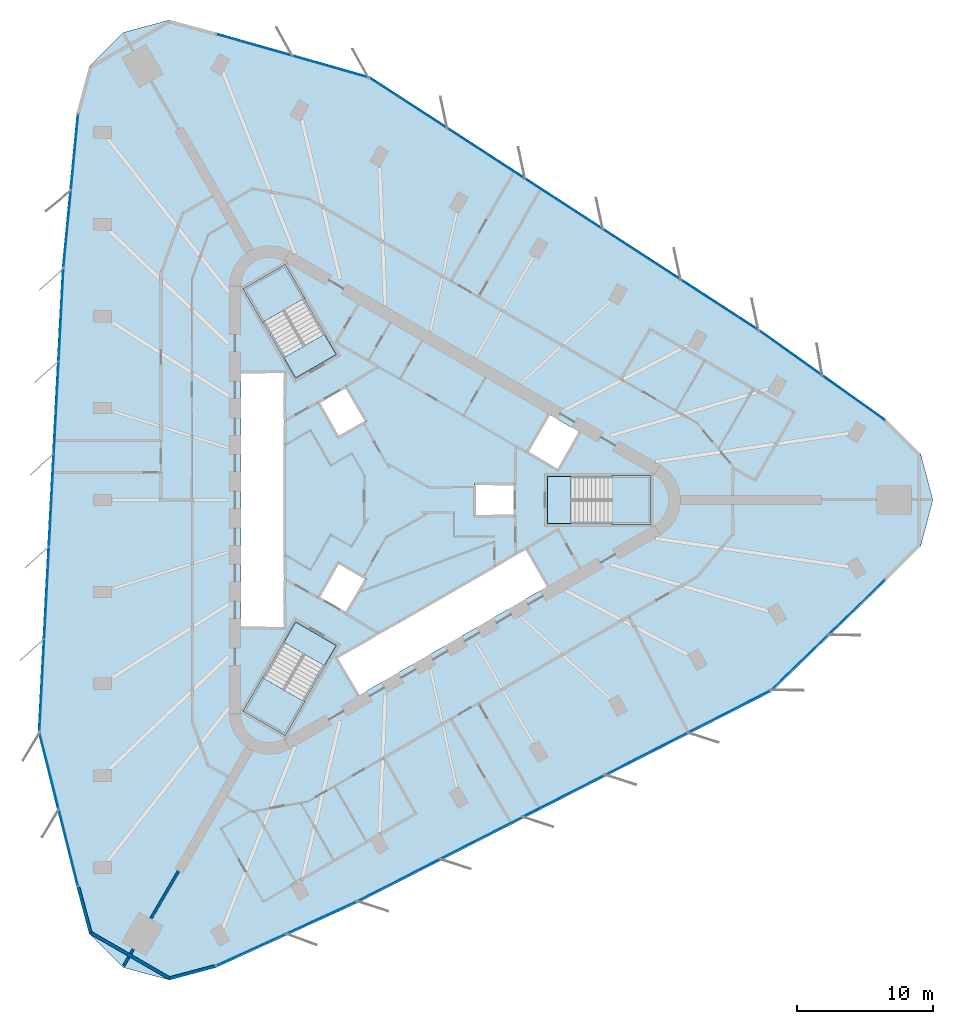
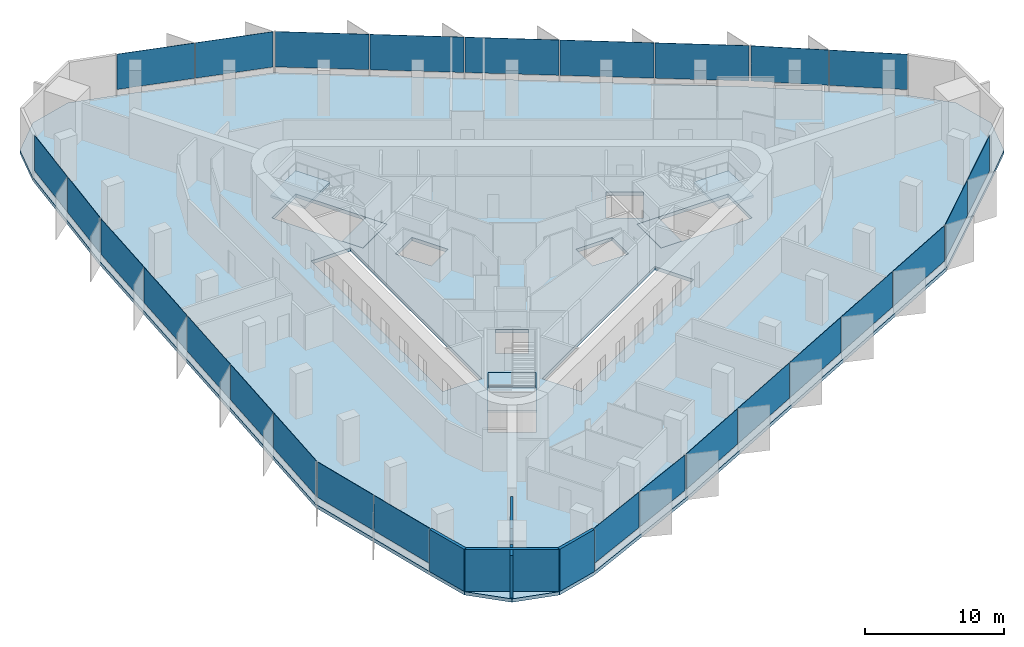
# One storey, part 7 of 14: 27 plates, 7 slabs, 6 walls, 12 elements without a shape of their own.
"""IFC4 building model written with IfcOpenShell, lengths in metres."""

import ifcopenshell
import ifcopenshell.guid

model = None  # the IFC model being written
_history = None  # IfcOwnerHistory: only IFC2X3 demands one
_inside = {}  # id of a spatial element -> (the spatial element, [elements in it])
_under = {}  # id of a project, library or spatial element -> (it, [spatial elements below it])
_declared = {}  # id of a project -> (the project, [libraries it declares])
_typed = {}  # id of a type object -> (the type object, [elements of that type])
_made_of = {}  # id of a material, layer set ... -> (it, [elements and type objects made of it])


def new_model(schema):
    """Start an empty IFC model of exactly this schema.

    Asked for "IFC4X3", IfcOpenShell would pick the latest addendum, in which some entities
    have other attributes; the version numbers below select the first issue.
    IFC2X3 requires an IfcOwnerHistory on every rooted entity: one is made here for all.
    """
    global model, _history
    if schema == "IFC4X3":
        model = ifcopenshell.file(schema_version=(4, 3, 0, 0))
    else:
        model = ifcopenshell.file(schema=schema)
    _inside.clear()
    _under.clear()
    _declared.clear()
    _typed.clear()
    _made_of.clear()
    _history = None
    if model.schema == "IFC2X3":
        org = make("IfcOrganization", Name="unknown")
        user = make(
            "IfcPersonAndOrganization",
            ThePerson=make("IfcPerson", FamilyName="unknown"),
            TheOrganization=org,
        )
        app = make(
            "IfcApplication",
            ApplicationDeveloper=org,
            Version="unknown",
            ApplicationFullName="unknown",
            ApplicationIdentifier="unknown",
        )
        _history = make(
            "IfcOwnerHistory",
            OwningUser=user,
            OwningApplication=app,
            ChangeAction="ADDED",
            CreationDate=0,
        )
    return model


def make(cls, **values):
    """One entity of the class cls with the attributes given. An attribute that is None is left unset."""
    return model.create_entity(
        cls, **{name: value for name, value in values.items() if value is not None}
    )


def rooted(cls, **values):
    """An entity with a GlobalId (a new one), such as an element, a storey or a relation."""
    return make(cls, GlobalId=ifcopenshell.guid.new(), OwnerHistory=_history, **values)


def si_unit(unit_type, name, prefix=None):
    """IfcSIUnit, for example si_unit("LENGTHUNIT", "METRE", prefix="MILLI")."""
    return make("IfcSIUnit", UnitType=unit_type, Prefix=prefix, Name=name)


def assignment(units):
    """IfcUnitAssignment: the units of a project."""
    return None if units is None else make("IfcUnitAssignment", Units=units)


def point(xyz):
    """IfcCartesianPoint."""
    return None if xyz is None else make("IfcCartesianPoint", Coordinates=xyz)


def direction(xyz):
    """IfcDirection."""
    return None if xyz is None else make("IfcDirection", DirectionRatios=xyz)


def frame(location, z_axis=None, x_axis=None):
    """IfcAxis2Placement3D, a coordinate frame: its origin and axes. An axis left out is left unset."""
    return make(
        "IfcAxis2Placement3D",
        Location=point(location),
        Axis=direction(z_axis),
        RefDirection=direction(x_axis),
    )


def frame_2d(location, x_axis=None):
    """IfcAxis2Placement2D, a coordinate frame in the plane: its origin and x axis."""
    return make(
        "IfcAxis2Placement2D", Location=point(location), RefDirection=direction(x_axis)
    )


def origin():
    """The frame at (0, 0, 0) with its axes left unset."""
    return frame((0.0, 0.0, 0.0))


def origin_2d():
    """The frame at (0, 0) in the plane with its x axis left unset."""
    return frame_2d((0.0, 0.0))


def place(relative_to, where):
    """IfcLocalPlacement: puts the frame where relative to a parent placement (None: the world)."""
    return make(
        "IfcLocalPlacement", PlacementRelTo=relative_to, RelativePlacement=where
    )


def context(
    kind, dimensions, precision=None, world=None, true_north=None, identifier=None
):
    """IfcGeometricRepresentationContext, for example the 3D "Model" context."""
    return make(
        "IfcGeometricRepresentationContext",
        ContextIdentifier=identifier,
        ContextType=kind,
        CoordinateSpaceDimension=dimensions,
        Precision=precision,
        WorldCoordinateSystem=world,
        TrueNorth=true_north,
    )


def subcontext(parent, identifier, kind, view, scale=None):
    """IfcGeometricRepresentationSubContext, for example "Body" below "Model"."""
    return make(
        "IfcGeometricRepresentationSubContext",
        ContextIdentifier=identifier,
        ContextType=kind,
        ParentContext=parent,
        TargetScale=scale,
        TargetView=view,
    )


def project(units=None, contexts=None):
    """IfcProject with its units and contexts."""
    return rooted(
        "IfcProject",
        Name="project",
        RepresentationContexts=contexts,
        UnitsInContext=assignment(units),
    )


def spatial(cls, under=None, at=None, **own):
    """A site, building, storey or space (cls), placed at a placement, below another one or the project."""
    s = rooted(cls, ObjectPlacement=at, **own)
    if under is not None:
        _under.setdefault(under.id(), (under, []))[1].append(s)
    return s


def polyline(points):
    """IfcPolyline through the points."""
    return make("IfcPolyline", Points=[point(p) for p in points])


def profile(cls, at=None, kind="AREA", **sizes):
    """A parametric profile (cls). Its sizes go by their IFC names, for example OverallWidth=200.0."""
    return make(cls, ProfileType=kind, Position=at, **sizes)


def rectangle(**sizes):
    """IfcRectangleProfileDef."""
    return profile("IfcRectangleProfileDef", **sizes)


def outline(outer, holes=None, kind="AREA"):
    """IfcArbitraryClosedProfileDef: a profile drawn as a closed curve; with holes, ...WithVoids."""
    if holes is None:
        return make("IfcArbitraryClosedProfileDef", ProfileType=kind, OuterCurve=outer)
    return make(
        "IfcArbitraryProfileDefWithVoids",
        ProfileType=kind,
        OuterCurve=outer,
        InnerCurves=holes,
    )


def extrude(swept, where, along, depth):
    """IfcExtrudedAreaSolid: the profile swept, set in the frame where, extruded along a direction by depth."""
    return make(
        "IfcExtrudedAreaSolid",
        SweptArea=swept,
        Position=where,
        ExtrudedDirection=direction(along),
        Depth=depth,
    )


def shape(context_of_items, identifier, shape_type, items):
    """IfcShapeRepresentation: the items that make up one representation, for example the "Body"."""
    return make(
        "IfcShapeRepresentation",
        ContextOfItems=context_of_items,
        RepresentationIdentifier=identifier,
        RepresentationType=shape_type,
        Items=items,
    )


def material(Name=None, Category=None):
    """IfcMaterial."""
    return make("IfcMaterial", Name=Name, Category=Category)


def layer(
    of_material, thickness, ventilated=None, Name=None, Category=None, Priority=None
):
    """IfcMaterialLayer: one layer of a wall or slab, of a material (None: an air gap)."""
    return make(
        "IfcMaterialLayer",
        Material=of_material,
        LayerThickness=thickness,
        IsVentilated=ventilated,
        Name=Name,
        Category=Category,
        Priority=Priority,
    )


def layer_set(layers, Name=None):
    """IfcMaterialLayerSet."""
    return make("IfcMaterialLayerSet", MaterialLayers=layers, LayerSetName=Name)


def made_of(thing, what):
    """Note that an element or type object is made of a material, layer set ...; save() writes the relation."""
    if what is not None:
        _made_of.setdefault(what.id(), (what, []))[1].append(thing)
    return thing


def type_object(cls, material=None, **own):
    """A type object (cls), such as IfcWallType, which elements share."""
    return made_of(rooted(cls, **own), material)


def element(
    cls,
    number,
    at=None,
    inside=None,
    cuts=None,
    type_object=None,
    material=None,
    context=None,
    identifier="Body",
    shape_type=None,
    held_by="IfcProductDefinitionShape",
    body=None,
    shapes=None,
    **own,
):
    """One element of the class cls, such as IfcWall. Its Tag is "e" and its number.

    at: its placement. inside: the storey or other place that contains it. cuts: it is an
    opening in that element (IfcRelVoidsElement). A single representation is given by context,
    identifier, shape_type and body (its items); several are given by shapes. held_by: the class
    of the entity that holds the representations. save() writes the other relations.
    """
    e = rooted(cls, Tag="e%d" % number, ObjectPlacement=at, **own)
    if body is not None:
        shapes = [shape(context, identifier, shape_type, body)]
    if shapes is not None:
        e.Representation = make(held_by, Representations=shapes)
    if inside is not None:
        _inside.setdefault(inside.id(), (inside, []))[1].append(e)
    if cuts is not None:
        rooted(
            "IfcRelVoidsElement", RelatingBuildingElement=cuts, RelatedOpeningElement=e
        )
    if type_object is not None:
        _typed.setdefault(type_object.id(), (type_object, []))[1].append(e)
    return made_of(e, material)


def aggregate(whole, parts):
    """IfcRelAggregates: a whole, such as a stair, and the parts it consists of."""
    return rooted("IfcRelAggregates", RelatingObject=whole, RelatedObjects=parts)


def save(model, path):
    """Write the relations noted so far, then the file.

    IfcRelAggregates (storeys below a building ...), IfcRelContainedInSpatialStructure (elements
    in a storey), IfcRelDefinesByType, IfcRelAssociatesMaterial and IfcRelDeclares: one each for
    every whole, place, type object, material and project.
    """
    for whole, parts in _under.values():
        aggregate(whole, parts)
    for where, things in _inside.values():
        rooted(
            "IfcRelContainedInSpatialStructure",
            RelatedElements=things,
            RelatingStructure=where,
        )
    for kind, things in _typed.values():
        rooted("IfcRelDefinesByType", RelatedObjects=things, RelatingType=kind)
    for what, things in _made_of.values():
        rooted("IfcRelAssociatesMaterial", RelatedObjects=things, RelatingMaterial=what)
    for by, libraries in _declared.values():
        rooted("IfcRelDeclares", RelatingContext=by, RelatedDefinitions=libraries)
    model.write(path)


model = new_model("IFC4")

# Units and contexts
model_context = context("Model", 3, precision=1e-05, world=origin(), true_north=direction((0.0, 1.0)))
body_context = subcontext(model_context, "Body", "Model", "MODEL_VIEW")
ifc_project = project(units=[si_unit("LENGTHUNIT", "METRE"), si_unit("AREAUNIT", "SQUARE_METRE"), si_unit("VOLUMEUNIT", "CUBIC_METRE"), si_unit("PLANEANGLEUNIT", "RADIAN"), si_unit("MASSUNIT", "GRAM", prefix="KILO")], contexts=[model_context])

# Site, building, storey
site_placement = place(None, origin())
site = spatial("IfcSite", under=ifc_project, at=site_placement, CompositionType="ELEMENT")
building_placement = place(site_placement, origin())
building = spatial("IfcBuilding", under=site, at=building_placement, Name="Tanit Gate Tower", CompositionType="ELEMENT")
storey_placement = place(building_placement, frame((0.0, 0.0, 257.199951171875)))
storey = spatial("IfcBuildingStorey", under=building, at=storey_placement, Name="L58", CompositionType="ELEMENT", Elevation=257.199951171875)

# Slab
ifc_material_1 = material(Name="Concrete C35/45", Category="concrete")
ifc_layer_1 = layer(ifc_material_1, 0.300048828125)
ifc_layer_set_1 = layer_set([ifc_layer_1], Name="FLOOR SLAB 300 C35/45")
slab_type_1 = type_object("IfcSlabType", Name="FLOOR SLAB 300 C35/45", PredefinedType="FLOOR", material=ifc_layer_set_1)
slab_1_placement = place(storey_placement, frame((0.0, 0.0, -0.300048828125)))
element("IfcSlab", 1, at=slab_1_placement, inside=storey, type_object=slab_type_1, Name="FLOOR SLAB L58", PredefinedType="FLOOR", context=body_context, shape_type="SweptSolid", body=[
    extrude(outline(polyline([(36.34765625, 5.927734375), (38.85302734375, 3.42236328125), (39.77001953125, 0.0), (38.85302734375, -3.42236328125), (36.34765625, -5.927734375), (27.90380859375, -14.114013671875), (-2.617431640625, -29.68359375), (-13.040283203125, -34.44189453125), (-16.462646484375, -35.35888671875), (-19.885009765625, -34.44189453125), (-22.390380859375, -31.9365234375), (-23.307373046875, -28.51416015625), (-26.175048828125, -17.1083984375), (-24.39794921875, 17.1083984375), (-23.307373046875, 28.51416015625), (-22.390380859375, 31.9365234375), (-19.885009765625, 34.44189453125), (-16.462646484375, 35.35888671875), (-13.040283203125, 34.44189453125), (-1.72900390625, 31.222412109375), (27.015380859375, 12.574951171875), (36.34765625, 5.927734375)]), holes=[polyline([(11.3701171875, 1.72998046875), (18.929931640625, 1.72998046875), (18.929931640625, -1.72998046875), (11.3701171875, -1.72998046875), (11.3701171875, 1.72998046875)]), polyline([(9.82080078125, 3.510009765625), (11.44580078125, 6.324462890625), (13.783935546875, 4.974609375), (12.158935546875, 2.159912109375), (9.82080078125, 3.510009765625)]), polyline([(-4.208984375, -11.60986328125), (9.82080078125, -3.510009765625), (11.44580078125, -6.324462890625), (-2.583984375, -14.424560546875), (-4.208984375, -11.60986328125)]), polyline([(6.0, 1.199951171875), (9.0, 1.199951171875), (9.0, -1.199951171875), (6.0, -1.199951171875), (6.0, 1.199951171875)]), polyline([(-5.539306640625, 7.194091796875), (-3.460693359375, 8.394287109375), (-1.960693359375, 5.796142578125), (-4.039306640625, 4.59619140625), (-5.539306640625, 7.194091796875)]), polyline([(-1.960693359375, -5.796142578125), (-3.460693359375, -8.394287109375), (-5.539306640625, -7.194091796875), (-4.039306640625, -4.59619140625), (-1.960693359375, -5.796142578125)]), polyline([(-10.963134765625, 15.52880859375), (-7.966796875, 17.2587890625), (-4.186767578125, 10.711669921875), (-7.18310546875, 8.981689453125), (-10.963134765625, 15.52880859375)]), polyline([(-4.186767578125, -10.711669921875), (-7.966796875, -17.2587890625), (-10.963134765625, -15.52880859375), (-7.18310546875, -8.981689453125), (-4.186767578125, -10.711669921875)]), polyline([(-11.199951171875, -9.449951171875), (-11.199951171875, 9.449951171875), (-7.949951171875, 9.449951171875), (-7.949951171875, -9.449951171875), (-11.199951171875, -9.449951171875)])]), origin(), (0.0, 0.0, 1.0), 0.300048828125),
])

# Curtain wall, plates
ifc_material_2 = material(Name="Aluminium bronze anodised and glass", Category="aluminium")
curtain_wall_type = type_object("IfcCurtainWallType", Name="Curtain wall typical mid", PredefinedType="NOTDEFINED", material=ifc_material_2)
curtain_wall_1_placement = place(storey_placement, origin())
curtain_wall_1 = element("IfcCurtainWall", 2, at=curtain_wall_1_placement, inside=storey, type_object=curtain_wall_type, Name="Curtain wall L58 NE1", PredefinedType="NOTDEFINED")
ifc_material_3 = material(Name="Glass tinted", Category="glass")
ifc_layer_2 = layer(ifc_material_3, 0.030029296875)
ifc_layer_set_2 = layer_set([ifc_layer_2], Name="Glass panel 30 typical mid")
plate_type = type_object("IfcPlateType", Name="Glass panel 30 typical mid", PredefinedType="CURTAIN_PANEL", material=ifc_layer_set_2)
plate_1_placement = place(storey_placement, frame((33.923095703125, 7.50732421875, 0.60009765625), z_axis=(0.0, 0.0, 1.0), x_axis=(-0.814502523008, 0.580160012422, 0.0)))
plate_1 = element("IfcPlate", 3, at=plate_1_placement, type_object=plate_type, Name="Glass panel L58 NE1.1", PredefinedType="CURTAIN_PANEL", context=body_context, shape_type="SweptSolid", body=[
    extrude(rectangle(XDim=5.6025390625, YDim=0.030029296875, at=origin_2d()), origin(), (0.0, 0.0, 1.0), 3.10009765625),
])
plate_2_placement = place(storey_placement, frame((29.294677734375, 10.80419921875, 0.60009765625), z_axis=(0.0, 0.0, 1.0), x_axis=(-0.814502523008, 0.580160012422, 0.0)))
plate_2 = element("IfcPlate", 4, at=plate_2_placement, type_object=plate_type, Name="Glass panel L58 NE1.2", PredefinedType="CURTAIN_PANEL", context=body_context, shape_type="SweptSolid", body=[
    extrude(rectangle(XDim=5.6025390625, YDim=0.030029296875, at=origin_2d()), origin(), (0.0, 0.0, 1.0), 3.10009765625),
])
aggregate(curtain_wall_1, [plate_1, plate_2])

curtain_wall_2_placement = place(storey_placement, origin())
curtain_wall_2 = element("IfcCurtainWall", 5, at=curtain_wall_2_placement, inside=storey, type_object=curtain_wall_type, Name="Curtain wall L58 NE2", PredefinedType="NOTDEFINED")
plate_3_placement = place(storey_placement, frame((24.04833984375, 14.356689453125, 0.60009765625), z_axis=(0.0, 0.0, 1.0), x_axis=(-0.838927413588, 0.544243323092, 0.0)))
plate_3 = element("IfcPlate", 6, at=plate_3_placement, type_object=plate_type, Name="Glass panel L58 NE2.1", PredefinedType="CURTAIN_PANEL", context=body_context, shape_type="SweptSolid", body=[
    extrude(rectangle(XDim=6.75244140625, YDim=0.030029296875, at=origin_2d()), origin(), (0.0, 0.0, 1.0), 3.10009765625),
])
plate_4_placement = place(storey_placement, frame((18.31640625, 18.0751953125, 0.60009765625), z_axis=(0.0, 0.0, 1.0), x_axis=(-0.838927413588, 0.544243323092, 0.0)))
plate_4 = element("IfcPlate", 7, at=plate_4_placement, type_object=plate_type, Name="Glass panel L58 NE2.2", PredefinedType="CURTAIN_PANEL", context=body_context, shape_type="SweptSolid", body=[
    extrude(rectangle(XDim=6.75244140625, YDim=0.030029296875, at=origin_2d()), origin(), (0.0, 0.0, 1.0), 3.10009765625),
])
plate_5_placement = place(storey_placement, frame((12.58447265625, 21.7939453125, 0.60009765625), z_axis=(0.0, 0.0, 1.0), x_axis=(-0.838927413588, 0.544243323092, 0.0)))
plate_5 = element("IfcPlate", 8, at=plate_5_placement, type_object=plate_type, Name="Glass panel L58 NE2.3", PredefinedType="CURTAIN_PANEL", context=body_context, shape_type="SweptSolid", body=[
    extrude(rectangle(XDim=6.75244140625, YDim=0.030029296875, at=origin_2d()), origin(), (0.0, 0.0, 1.0), 3.10009765625),
])
plate_6_placement = place(storey_placement, frame((6.852294921875, 25.512451171875, 0.60009765625), z_axis=(0.0, 0.0, 1.0), x_axis=(-0.838927413588, 0.544243323092, 0.0)))
plate_6 = element("IfcPlate", 9, at=plate_6_placement, type_object=plate_type, Name="Glass panel L58 NE2.4", PredefinedType="CURTAIN_PANEL", context=body_context, shape_type="SweptSolid", body=[
    extrude(rectangle(XDim=6.75244140625, YDim=0.030029296875, at=origin_2d()), origin(), (0.0, 0.0, 1.0), 3.10009765625),
])
plate_7_placement = place(storey_placement, frame((1.120361328125, 29.23095703125, 0.60009765625), z_axis=(0.0, 0.0, 1.0), x_axis=(-0.838927413588, 0.544243323092, 0.0)))
plate_7 = element("IfcPlate", 10, at=plate_7_placement, type_object=plate_type, Name="Glass panel L58 NE2.5", PredefinedType="CURTAIN_PANEL", context=body_context, shape_type="SweptSolid", body=[
    extrude(rectangle(XDim=6.75244140625, YDim=0.030029296875, at=origin_2d()), origin(), (0.0, 0.0, 1.0), 3.10009765625),
])
aggregate(curtain_wall_2, [plate_3, plate_4, plate_5, plate_6, plate_7])

curtain_wall_3_placement = place(storey_placement, origin())
curtain_wall_3 = element("IfcCurtainWall", 11, at=curtain_wall_3_placement, inside=storey, type_object=curtain_wall_type, Name="Curtain wall L58 NE3", PredefinedType="NOTDEFINED")
plate_8_placement = place(storey_placement, frame((-4.62158203125, 31.9208984375, 0.60009765625), z_axis=(0.0, 0.0, 1.0), x_axis=(-0.961802543312, 0.273744164647, 0.0)))
plate_8 = element("IfcPlate", 12, at=plate_8_placement, type_object=plate_type, Name="Glass panel L58 NE3.1", PredefinedType="CURTAIN_PANEL", context=body_context, shape_type="SweptSolid", body=[
    extrude(rectangle(XDim=5.750732421875, YDim=0.030029296875, at=origin_2d()), origin(), (0.0, 0.0, 1.0), 3.10009765625),
])
plate_9_placement = place(storey_placement, frame((-10.229736328125, 33.51708984375, 0.60009765625), z_axis=(0.0, 0.0, 1.0), x_axis=(-0.961802543312, 0.273744164647, 0.0)))
plate_9 = element("IfcPlate", 13, at=plate_9_placement, type_object=plate_type, Name="Glass panel L58 NE3.2", PredefinedType="CURTAIN_PANEL", context=body_context, shape_type="SweptSolid", body=[
    extrude(rectangle(XDim=5.7509765625, YDim=0.030029296875, at=origin_2d()), origin(), (0.0, 0.0, 1.0), 3.10009765625),
])
aggregate(curtain_wall_3, [plate_8, plate_9])

curtain_wall_4_placement = place(storey_placement, origin())
curtain_wall_4 = element("IfcCurtainWall", 14, at=curtain_wall_4_placement, inside=storey, type_object=curtain_wall_type, Name="Curtain wall L58 W1", PredefinedType="NOTDEFINED")
plate_10_placement = place(storey_placement, frame((-23.463134765625, 25.62451171875, 0.60009765625), z_axis=(0.0, 0.0, 1.0), x_axis=(-0.095182047514, -0.995459882582, 0.0)))
plate_10 = element("IfcPlate", 15, at=plate_10_placement, type_object=plate_type, Name="Glass panel L58 W1.1", PredefinedType="CURTAIN_PANEL", context=body_context, shape_type="SweptSolid", body=[
    extrude(rectangle(XDim=5.6025390625, YDim=0.030029296875, at=origin_2d()), origin(), (0.0, 0.0, 1.0), 3.10009765625),
])
plate_11_placement = place(storey_placement, frame((-24.00390625, 19.9677734375, 0.60009765625), z_axis=(0.0, 0.0, 1.0), x_axis=(-0.095182047514, -0.995459882582, 0.0)))
plate_11 = element("IfcPlate", 16, at=plate_11_placement, type_object=plate_type, Name="Glass panel L58 W1.2", PredefinedType="CURTAIN_PANEL", context=body_context, shape_type="SweptSolid", body=[
    extrude(rectangle(XDim=5.6025390625, YDim=0.030029296875, at=origin_2d()), origin(), (0.0, 0.0, 1.0), 3.10009765625),
])
aggregate(curtain_wall_4, [plate_10, plate_11])

curtain_wall_5_placement = place(storey_placement, origin())
curtain_wall_5 = element("IfcCurtainWall", 17, at=curtain_wall_5_placement, inside=storey, type_object=curtain_wall_type, Name="Curtain wall L58 W2", PredefinedType="NOTDEFINED")
plate_12_placement = place(storey_placement, frame((-24.45751953125, 13.648193359375, 0.60009765625), z_axis=(0.0, 0.0, 1.0), x_axis=(-0.051864836844, -0.998654113645, 0.0)))
plate_12 = element("IfcPlate", 18, at=plate_12_placement, type_object=plate_type, Name="Glass panel L58 W2.1", PredefinedType="CURTAIN_PANEL", context=body_context, shape_type="SweptSolid", body=[
    extrude(rectangle(XDim=6.75244140625, YDim=0.030029296875, at=origin_2d()), origin(), (0.0, 0.0, 1.0), 3.10009765625),
])
plate_13_placement = place(storey_placement, frame((-24.811767578125, 6.82470703125, 0.60009765625), z_axis=(0.0, 0.0, 1.0), x_axis=(-0.051864836844, -0.998654113645, 0.0)))
plate_13 = element("IfcPlate", 19, at=plate_13_placement, type_object=plate_type, Name="Glass panel L58 W2.2", PredefinedType="CURTAIN_PANEL", context=body_context, shape_type="SweptSolid", body=[
    extrude(rectangle(XDim=6.75244140625, YDim=0.030029296875, at=origin_2d()), origin(), (0.0, 0.0, 1.0), 3.10009765625),
])
plate_14_placement = place(storey_placement, frame((-25.166259765625, 0.00146484375, 0.60009765625), z_axis=(0.0, 0.0, 1.0), x_axis=(-0.051864836844, -0.998654113645, 0.0)))
plate_14 = element("IfcPlate", 20, at=plate_14_placement, type_object=plate_type, Name="Glass panel L58 W2.3", PredefinedType="CURTAIN_PANEL", context=body_context, shape_type="SweptSolid", body=[
    extrude(rectangle(XDim=6.75244140625, YDim=0.030029296875, at=origin_2d()), origin(), (0.0, 0.0, 1.0), 3.10009765625),
])
plate_15_placement = place(storey_placement, frame((-25.5205078125, -6.82177734375, 0.60009765625), z_axis=(0.0, 0.0, 1.0), x_axis=(-0.051864836844, -0.998654113645, 0.0)))
plate_15 = element("IfcPlate", 21, at=plate_15_placement, type_object=plate_type, Name="Glass panel L58 W2.4", PredefinedType="CURTAIN_PANEL", context=body_context, shape_type="SweptSolid", body=[
    extrude(rectangle(XDim=6.75244140625, YDim=0.030029296875, at=origin_2d()), origin(), (0.0, 0.0, 1.0), 3.10009765625),
])
plate_16_placement = place(storey_placement, frame((-25.875, -13.64501953125, 0.60009765625), z_axis=(0.0, 0.0, 1.0), x_axis=(-0.051864836844, -0.998654113645, 0.0)))
plate_16 = element("IfcPlate", 22, at=plate_16_placement, type_object=plate_type, Name="Glass panel L58 W2.5", PredefinedType="CURTAIN_PANEL", context=body_context, shape_type="SweptSolid", body=[
    extrude(rectangle(XDim=6.75244140625, YDim=0.030029296875, at=origin_2d()), origin(), (0.0, 0.0, 1.0), 3.10009765625),
])
aggregate(curtain_wall_5, [plate_12, plate_13, plate_14, plate_15, plate_16])

curtain_wall_6_placement = place(storey_placement, origin())
curtain_wall_6 = element("IfcCurtainWall", 23, at=curtain_wall_6_placement, inside=storey, type_object=curtain_wall_type, Name="Curtain wall L58 W3", PredefinedType="NOTDEFINED")
plate_17_placement = place(storey_placement, frame((-25.33349609375, -19.962890625, 0.60009765625), z_axis=(0.0, 0.0, 1.0), x_axis=(0.243831870934, -0.969817518256, 0.0)))
plate_17 = element("IfcPlate", 24, at=plate_17_placement, type_object=plate_type, Name="Glass panel L58 W3.1", PredefinedType="CURTAIN_PANEL", context=body_context, shape_type="SweptSolid", body=[
    extrude(rectangle(XDim=5.750732421875, YDim=0.030029296875, at=origin_2d()), origin(), (0.0, 0.0, 1.0), 3.10009765625),
])
plate_18_placement = place(storey_placement, frame((-23.911865234375, -25.61767578125, 0.60009765625), z_axis=(0.0, 0.0, 1.0), x_axis=(0.243831870934, -0.969817518256, 0.0)))
plate_18 = element("IfcPlate", 25, at=plate_18_placement, type_object=plate_type, Name="Glass panel L58 W3.2", PredefinedType="CURTAIN_PANEL", context=body_context, shape_type="SweptSolid", body=[
    extrude(rectangle(XDim=5.7509765625, YDim=0.030029296875, at=origin_2d()), origin(), (0.0, 0.0, 1.0), 3.10009765625),
])
aggregate(curtain_wall_6, [plate_17, plate_18])

curtain_wall_7_placement = place(storey_placement, origin())
curtain_wall_7 = element("IfcCurtainWall", 26, at=curtain_wall_7_placement, inside=storey, type_object=curtain_wall_type, Name="Curtain wall L58 SE1", PredefinedType="NOTDEFINED")
plate_19_placement = place(storey_placement, frame((-10.4599609375, -33.1318359375, 0.60009765625), z_axis=(0.0, 0.0, 1.0), x_axis=(0.909684570522, 0.41529987016, 0.0)))
plate_19 = element("IfcPlate", 27, at=plate_19_placement, type_object=plate_type, Name="Glass panel L58 SE1.1", PredefinedType="CURTAIN_PANEL", context=body_context, shape_type="SweptSolid", body=[
    extrude(rectangle(XDim=5.6025390625, YDim=0.030029296875, at=origin_2d()), origin(), (0.0, 0.0, 1.0), 3.10009765625),
])
plate_20_placement = place(storey_placement, frame((-5.290771484375, -30.77197265625, 0.60009765625), z_axis=(0.0, 0.0, 1.0), x_axis=(0.909684570522, 0.41529987016, 0.0)))
plate_20 = element("IfcPlate", 28, at=plate_20_placement, type_object=plate_type, Name="Glass panel L58 SE1.2", PredefinedType="CURTAIN_PANEL", context=body_context, shape_type="SweptSolid", body=[
    extrude(rectangle(XDim=5.6025390625, YDim=0.030029296875, at=origin_2d()), origin(), (0.0, 0.0, 1.0), 3.10009765625),
])
aggregate(curtain_wall_7, [plate_19, plate_20])

curtain_wall_8_placement = place(storey_placement, origin())
curtain_wall_8 = element("IfcCurtainWall", 29, at=curtain_wall_8_placement, inside=storey, type_object=curtain_wall_type, Name="Curtain wall L58 SE2", PredefinedType="NOTDEFINED")
plate_21_placement = place(storey_placement, frame((0.4091796875, -28.0048828125, 0.60009765625), z_axis=(0.0, 0.0, 1.0), x_axis=(0.890792250432, 0.454410790552, 0.0)))
plate_21 = element("IfcPlate", 30, at=plate_21_placement, type_object=plate_type, Name="Glass panel L58 SE2.1", PredefinedType="CURTAIN_PANEL", context=body_context, shape_type="SweptSolid", body=[
    extrude(rectangle(XDim=6.75244140625, YDim=0.030029296875, at=origin_2d()), origin(), (0.0, 0.0, 1.0), 3.10009765625),
])
plate_22_placement = place(storey_placement, frame((6.49560546875, -24.900146484375, 0.60009765625), z_axis=(0.0, 0.0, 1.0), x_axis=(0.890792250432, 0.454410790552, 0.0)))
plate_22 = element("IfcPlate", 31, at=plate_22_placement, type_object=plate_type, Name="Glass panel L58 SE2.2", PredefinedType="CURTAIN_PANEL", context=body_context, shape_type="SweptSolid", body=[
    extrude(rectangle(XDim=6.75244140625, YDim=0.030029296875, at=origin_2d()), origin(), (0.0, 0.0, 1.0), 3.10009765625),
])
plate_23_placement = place(storey_placement, frame((12.581787109375, -21.79541015625, 0.60009765625), z_axis=(0.0, 0.0, 1.0), x_axis=(0.890792250432, 0.454410790552, 0.0)))
plate_23 = element("IfcPlate", 32, at=plate_23_placement, type_object=plate_type, Name="Glass panel L58 SE2.3", PredefinedType="CURTAIN_PANEL", context=body_context, shape_type="SweptSolid", body=[
    extrude(rectangle(XDim=6.75244140625, YDim=0.030029296875, at=origin_2d()), origin(), (0.0, 0.0, 1.0), 3.10009765625),
])
plate_24_placement = place(storey_placement, frame((18.668212890625, -18.6904296875, 0.60009765625), z_axis=(0.0, 0.0, 1.0), x_axis=(0.890792250432, 0.454410790552, 0.0)))
plate_24 = element("IfcPlate", 33, at=plate_24_placement, type_object=plate_type, Name="Glass panel L58 SE2.4", PredefinedType="CURTAIN_PANEL", context=body_context, shape_type="SweptSolid", body=[
    extrude(rectangle(XDim=6.75244140625, YDim=0.030029296875, at=origin_2d()), origin(), (0.0, 0.0, 1.0), 3.10009765625),
])
plate_25_placement = place(storey_placement, frame((24.75439453125, -15.585693359375, 0.60009765625), z_axis=(0.0, 0.0, 1.0), x_axis=(0.890792250432, 0.454410790552, 0.0)))
plate_25 = element("IfcPlate", 34, at=plate_25_placement, type_object=plate_type, Name="Glass panel L58 SE2.5", PredefinedType="CURTAIN_PANEL", context=body_context, shape_type="SweptSolid", body=[
    extrude(rectangle(XDim=6.75244140625, YDim=0.030029296875, at=origin_2d()), origin(), (0.0, 0.0, 1.0), 3.10009765625),
])
aggregate(curtain_wall_8, [plate_21, plate_22, plate_23, plate_24, plate_25])

curtain_wall_9_placement = place(storey_placement, origin())
curtain_wall_9 = element("IfcCurtainWall", 35, at=curtain_wall_9_placement, inside=storey, type_object=curtain_wall_type, Name="Curtain wall L58 SE3", PredefinedType="NOTDEFINED")
plate_26_placement = place(storey_placement, frame((29.955078125, -11.9580078125, 0.60009765625), z_axis=(0.0, 0.0, 1.0), x_axis=(0.717970672378, 0.696073353609, 0.0)))
plate_26 = element("IfcPlate", 36, at=plate_26_placement, type_object=plate_type, Name="Glass panel L58 SE3.1", PredefinedType="CURTAIN_PANEL", context=body_context, shape_type="SweptSolid", body=[
    extrude(rectangle(XDim=5.750732421875, YDim=0.030029296875, at=origin_2d()), origin(), (0.0, 0.0, 1.0), 3.10009765625),
])
plate_27_placement = place(storey_placement, frame((34.1416015625, -7.8994140625, 0.60009765625), z_axis=(0.0, 0.0, 1.0), x_axis=(0.717970672378, 0.696073353609, 0.0)))
plate_27 = element("IfcPlate", 37, at=plate_27_placement, type_object=plate_type, Name="Glass panel L58 SE3.2", PredefinedType="CURTAIN_PANEL", context=body_context, shape_type="SweptSolid", body=[
    extrude(rectangle(XDim=5.7509765625, YDim=0.030029296875, at=origin_2d()), origin(), (0.0, 0.0, 1.0), 3.10009765625),
])
aggregate(curtain_wall_9, [plate_26, plate_27])

# Stair, slab
ifc_material_4 = material(Name="Concrete C40/50", Category="concrete")
stair_type = type_object("IfcStairType", Name="INT-STAIR-EXIT", PredefinedType="HALF_TURN_STAIR", material=ifc_material_4)
stair_1_placement = place(storey_placement, origin())
stair_1 = element("IfcStair", 38, at=stair_1_placement, inside=storey, type_object=stair_type, Name="L58 STAIR S1", PredefinedType="HALF_TURN_STAIR")
ifc_material_5 = material(Name="Concrete C40/50", Category="concrete")
ifc_layer_3 = layer(ifc_material_5, 0.199951171875)
ifc_layer_set_3 = layer_set([ifc_layer_3], Name="INT-STAIR-LANDING")
slab_type_2 = type_object("IfcSlabType", Name="INT-STAIR-LANDING", PredefinedType="LANDING", material=ifc_layer_set_3)
slab_2_placement = place(storey_placement, frame((0.0, 0.0, 1.800048828125)))
slab_2 = element("IfcSlab", 39, at=slab_2_placement, type_object=slab_type_2, Name="S1 landing 1", PredefinedType="LANDING", context=body_context, shape_type="SweptSolid", body=[
    extrude(outline(polyline([(16.135986328125, -1.800048828125), (19.0, -1.800048828125), (19.0, 1.800048828125), (16.135986328125, 1.800048828125), (16.135986328125, -1.800048828125)])), origin(), (0.0, 0.0, 1.0), 0.199951171875),
])
aggregate(stair_1, [slab_2])

# Slab
slab_3_placement = place(storey_placement, frame((0.0, 0.0, -0.199951171875)))
element("IfcSlab", 40, at=slab_3_placement, inside=storey, type_object=slab_type_2, Name="S1 floor landing", PredefinedType="LANDING", context=body_context, shape_type="SweptSolid", body=[
    extrude(outline(polyline([(11.3798828125, -1.719970703125), (13.10498046875, -1.719970703125), (13.10498046875, 1.719970703125), (11.3798828125, 1.719970703125), (11.3798828125, -1.719970703125)])), origin(), (0.0, 0.0, 1.0), 0.199951171875),
])

# Stair, slab
stair_2_placement = place(storey_placement, origin())
stair_2 = element("IfcStair", 41, at=stair_2_placement, inside=storey, type_object=stair_type, Name="L58 STAIR S2", PredefinedType="HALF_TURN_STAIR")
slab_4_placement = place(storey_placement, frame((0.0, 0.0, 1.800048828125)))
slab_4 = element("IfcSlab", 42, at=slab_4_placement, type_object=slab_type_2, Name="S2 landing 1", PredefinedType="LANDING", context=body_context, shape_type="SweptSolid", body=[
    extrude(outline(polyline([(-6.5078125, 14.871826171875), (-7.941162109375, 17.3544921875), (-11.058837890625, 15.554443359375), (-9.62548828125, 13.07177734375), (-6.5078125, 14.871826171875)])), origin(), (0.0, 0.0, 1.0), 0.199951171875),
])
aggregate(stair_2, [slab_4])

# Slab
slab_5_placement = place(storey_placement, frame((0.0, 0.0, -0.199951171875)))
element("IfcSlab", 43, at=slab_5_placement, inside=storey, type_object=slab_type_2, Name="S2 floor landing", PredefinedType="LANDING", context=body_context, shape_type="SweptSolid", body=[
    extrude(outline(polyline([(-4.200439453125, 10.71533203125), (-5.0625, 12.20849609375), (-8.04150390625, 10.48828125), (-7.179443359375, 8.995361328125), (-4.200439453125, 10.71533203125)])), origin(), (0.0, 0.0, 1.0), 0.199951171875),
])

# Stair, slab
stair_3_placement = place(storey_placement, origin())
stair_3 = element("IfcStair", 44, at=stair_3_placement, inside=storey, type_object=stair_type, Name="L58 STAIR S3", PredefinedType="HALF_TURN_STAIR")
slab_6_placement = place(storey_placement, frame((0.0, 0.0, 1.800048828125)))
slab_6 = element("IfcSlab", 45, at=slab_6_placement, type_object=slab_type_2, Name="S3 landing 1", PredefinedType="LANDING", context=body_context, shape_type="SweptSolid", body=[
    extrude(outline(polyline([(-9.626953125, -13.07421875), (-11.058837890625, -15.554443359375), (-7.941162109375, -17.3544921875), (-6.509033203125, -14.874267578125), (-9.626953125, -13.07421875)])), origin(), (0.0, 0.0, 1.0), 0.199951171875),
])
aggregate(stair_3, [slab_6])

# Slab
slab_7_placement = place(storey_placement, frame((0.0, 0.0, -0.199951171875)))
element("IfcSlab", 46, at=slab_7_placement, inside=storey, type_object=slab_type_2, Name="S3 floor landing", PredefinedType="LANDING", context=body_context, shape_type="SweptSolid", body=[
    extrude(outline(polyline([(-7.179443359375, -8.995361328125), (-8.0419921875, -10.4892578125), (-5.06298828125, -12.209228515625), (-4.200439453125, -10.71533203125), (-7.179443359375, -8.995361328125)])), origin(), (0.0, 0.0, 1.0), 0.199951171875),
])

# Walls
ifc_material_6 = material(Name="Concrete C30/37 with bronze anodised aluminium cladding", Category="concrete")
ifc_layer_4 = layer(ifc_material_6, 0.239990234375)
ifc_layer_set_4 = layer_set([ifc_layer_4], Name="Facade wall bronze clad 240")
wall_type_1 = type_object("IfcWallType", Name="Facade wall bronze clad 240", PredefinedType="SOLIDWALL", material=ifc_layer_set_4)
wall_1_placement = place(storey_placement, frame((-23.191162109375, -28.484130859375, 0.0), z_axis=(0.0, 0.0, 1.0), x_axis=(0.258818367886, -0.965926007748, 0.0)))
element("IfcWall", 47, at=wall_1_placement, inside=storey, type_object=wall_type_1, Name="Bronze-clad facade wall L58 SW.arc1", PredefinedType="SOLIDWALL", context=body_context, shape_type="SweptSolid", body=[
    extrude(rectangle(XDim=3.510009765625, YDim=0.239990234375, at=frame_2d((1.7548828125, 0.0))), origin(), (0.0, 0.0, 1.0), 3.699951171875),
])
wall_2_placement = place(storey_placement, frame((-22.28271484375, -31.87451171875, 0.0), z_axis=(0.0, 0.0, 1.0), x_axis=(0.86603253074, -0.499987655547, 0.0)))
element("IfcWall", 48, at=wall_2_placement, inside=storey, type_object=wall_type_1, Name="Bronze-clad facade wall L58 SW.arc2", PredefinedType="SOLIDWALL", context=body_context, shape_type="SweptSolid", body=[
    extrude(rectangle(XDim=6.720458984375, YDim=0.239990234375, at=frame_2d((3.3603515625, 0.0))), origin(), (0.0, 0.0, 1.0), 3.699951171875),
])
wall_3_placement = place(storey_placement, frame((-16.462646484375, -35.234619140625, 0.0), z_axis=(0.0, 0.0, 1.0), x_axis=(0.965932176707, 0.258795343857, 0.0)))
element("IfcWall", 49, at=wall_3_placement, inside=storey, type_object=wall_type_1, Name="Bronze-clad facade wall L58 SW.arc3", PredefinedType="SOLIDWALL", context=body_context, shape_type="SweptSolid", body=[
    extrude(rectangle(XDim=3.5009765625, YDim=0.239990234375, at=frame_2d((1.75048828125, 0.0))), origin(), (0.0, 0.0, 1.0), 3.699951171875),
])
ifc_material_7 = material(Name="Fire-rated gypsum board partition")
ifc_layer_5 = layer(ifc_material_7, 0.199951171875)
ifc_layer_set_5 = layer_set([ifc_layer_5], Name="INT-WALL-COMPARTMENT")
wall_type_2 = type_object("IfcWallType", Name="INT-WALL-COMPARTMENT", PredefinedType="PARTITIONING", material=ifc_layer_set_5)
wall_4_placement = place(storey_placement, frame((-19.844970703125, -34.312255859375, 0.0), z_axis=(0.0, 0.0, 1.0), x_axis=(0.500151178888, 0.865938103017, 0.0)))
element("IfcWall", 50, at=wall_4_placement, inside=storey, type_object=wall_type_2, Name="Wall Compartment W122", PredefinedType="PARTITIONING", context=body_context, shape_type="SweptSolid", body=[
    extrude(rectangle(XDim=0.772216796875, YDim=0.199951171875, at=frame_2d((0.38623046875, 0.0))), origin(), (0.0, 0.0, 1.0), 3.699951171875),
])
wall_5_placement = place(storey_placement, frame((-19.338623046875, -33.435546875, 0.0), z_axis=(0.0, 0.0, 1.0), x_axis=(0.499896243657, 0.866085299251, 0.0)))
element("IfcWall", 51, at=wall_5_placement, inside=storey, type_object=wall_type_2, Name="Wall Compartment W122x1", PredefinedType="PARTITIONING", context=body_context, shape_type="SweptSolid", body=[
    extrude(rectangle(XDim=0.4052734375, YDim=0.199951171875, at=frame_2d((0.20263671875, 0.0))), origin(), (0.0, 0.0, 1.0), 3.699951171875),
])
wall_6_placement = place(storey_placement, frame((-17.8359375, -30.832763671875, 0.0), z_axis=(0.0, 0.0, 1.0), x_axis=(0.502422862308, 0.864622037326, 0.0)))
element("IfcWall", 52, at=wall_6_placement, inside=storey, type_object=wall_type_2, Name="Wall Compartment W123", PredefinedType="PARTITIONING", context=body_context, shape_type="SweptSolid", body=[
    extrude(rectangle(XDim=4.03759765625, YDim=0.199951171875, at=frame_2d((2.018798828125, 0.0))), origin(), (0.0, 0.0, 1.0), 3.27001953125),
])

save(model, "model.ifc")
